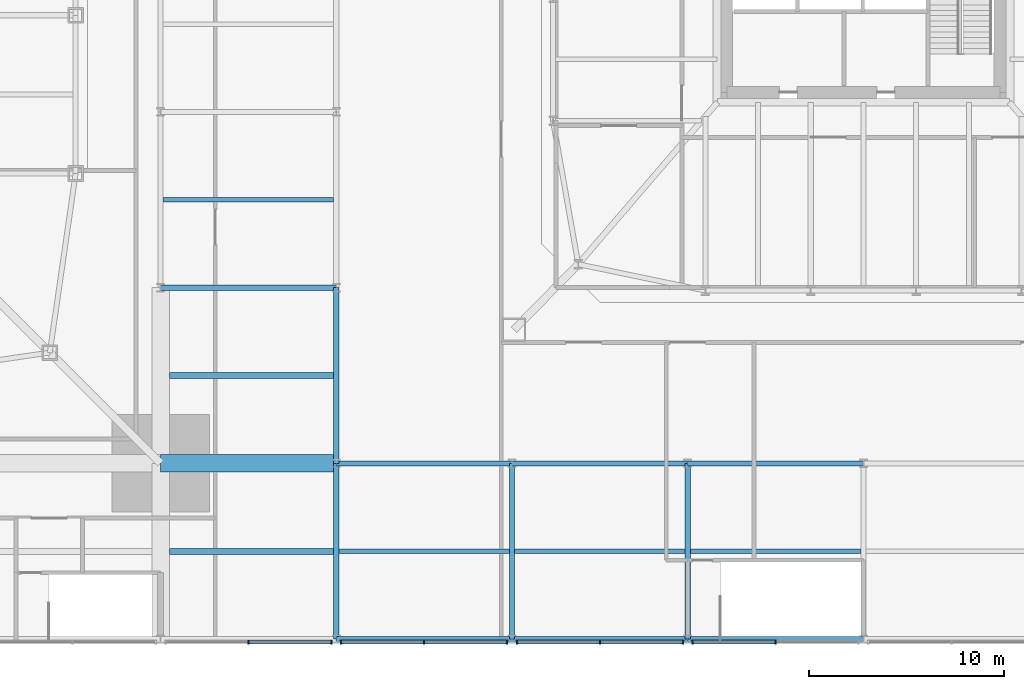
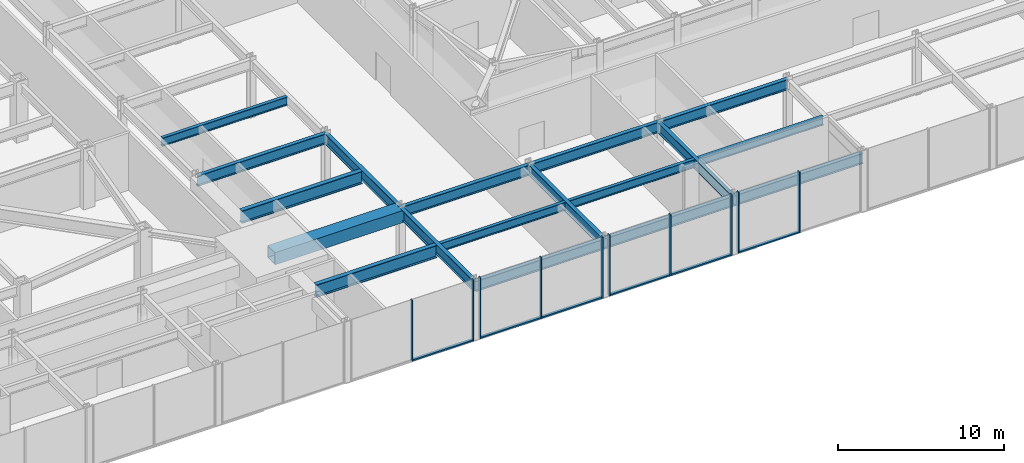
# One storey, part 10 of 30: 18 beams, 16 members, 4 elements without a shape of their own.
"""IFC4 building model written with IfcOpenShell, lengths in metres."""

from ifc_helpers import new_model, si_unit, direction, frame, origin, origin_2d, place, context, subcontext, project, spatial, rectangle, hollow_rectangle, i_section, extrude, material, material_profile, profile_set, type_object, element, aggregate, save


model = new_model("IFC4")

# Units and contexts
model_context = context("Model", 3, precision=1e-05, world=origin(), true_north=direction((0.0, 1.0)))
body_context = subcontext(model_context, "Body", "Model", "MODEL_VIEW")
ifc_project = project(units=[si_unit("LENGTHUNIT", "METRE"), si_unit("AREAUNIT", "SQUARE_METRE"), si_unit("VOLUMEUNIT", "CUBIC_METRE"), si_unit("PLANEANGLEUNIT", "RADIAN"), si_unit("MASSUNIT", "GRAM", prefix="KILO")], contexts=[model_context])

# Site, building, storey
site_placement = place(None, origin())
site = spatial("IfcSite", under=ifc_project, at=site_placement, CompositionType="ELEMENT")
building_placement = place(site_placement, origin())
building = spatial("IfcBuilding", under=site, at=building_placement, Name="Iwan Alto Co-Living Towers", CompositionType="ELEMENT")
storey_placement = place(building_placement, frame((0.0, 0.0, 10.5)))
storey = spatial("IfcBuildingStorey", under=building, at=storey_placement, Name="L02", CompositionType="ELEMENT", Elevation=10.5)

# Curtain wall, members
ifc_material_1 = material(Name="Bronze aluminium stick frame", Category="aluminium")
curtain_wall_type = type_object("IfcCurtainWallType", Name="CURTAIN WALL CW-E", PredefinedType="NOTDEFINED", material=ifc_material_1)
curtain_wall_1_placement = place(storey_placement, origin())
curtain_wall_1 = element("IfcCurtainWall", 1, at=curtain_wall_1_placement, inside=storey, type_object=curtain_wall_type, Name="Podium curtain wall S L02", PredefinedType="NOTDEFINED")
ifc_material_2 = material(Name="Aluminium 6063-T6 bronze anodised", Category="aluminium")
ifc_material_profile_1 = material_profile(ifc_material_2, rectangle(XDim=0.199951171875, YDim=0.080078125, at=origin_2d()), Name="AL 80X200")
ifc_profile_set_1 = profile_set([ifc_material_profile_1], Name="Aluminium 6063-T6 bronze anodised")
member_type_1 = type_object("IfcMemberType", Name="CW-E MULLION 80X200", PredefinedType="MULLION", material=ifc_profile_set_1)
member_1_placement = place(storey_placement, frame((31.5, -36.14990234375, 0.0), z_axis=(0.0, 0.0, 1.0), x_axis=(0.0, 1.0, 0.0)))
member_1 = element("IfcMember", 2, at=member_1_placement, type_object=member_type_1, Name="CW-E mullion 2", PredefinedType="MULLION", context=body_context, shape_type="SweptSolid", body=[
    extrude(rectangle(XDim=0.199951171875, YDim=0.080078125, at=origin_2d()), origin(), (0.0, 0.0, 1.0), 4.5),
])
member_2_placement = place(storey_placement, frame((35.754150390625, -36.14990234375, 0.0), z_axis=(0.0, 0.0, 1.0), x_axis=(0.0, 1.0, 0.0)))
member_2 = element("IfcMember", 3, at=member_2_placement, type_object=member_type_1, Name="CW-E mullion 3", PredefinedType="MULLION", context=body_context, shape_type="SweptSolid", body=[
    extrude(rectangle(XDim=0.199951171875, YDim=0.080078125, at=origin_2d()), origin(), (0.0, 0.0, 1.0), 4.5),
])

curtain_wall_2_placement = place(storey_placement, origin())
curtain_wall_2 = element("IfcCurtainWall", 4, at=curtain_wall_2_placement, inside=storey, type_object=curtain_wall_type, Name="Podium curtain wall S L02", PredefinedType="NOTDEFINED")
member_3_placement = place(storey_placement, frame((36.245849609375, -36.14990234375, 0.0), z_axis=(0.0, 0.0, 1.0), x_axis=(0.0, 1.0, 0.0)))
member_3 = element("IfcMember", 5, at=member_3_placement, type_object=member_type_1, Name="CW-E mullion 1", PredefinedType="MULLION", context=body_context, shape_type="SweptSolid", body=[
    extrude(rectangle(XDim=0.199951171875, YDim=0.080078125, at=origin_2d()), origin(), (0.0, 0.0, 1.0), 4.5),
])
member_4_placement = place(storey_placement, frame((40.5, -36.14990234375, 0.0), z_axis=(0.0, 0.0, 1.0), x_axis=(0.0, 1.0, 0.0)))
member_4 = element("IfcMember", 6, at=member_4_placement, type_object=member_type_1, Name="CW-E mullion 2", PredefinedType="MULLION", context=body_context, shape_type="SweptSolid", body=[
    extrude(rectangle(XDim=0.199951171875, YDim=0.080078125, at=origin_2d()), origin(), (0.0, 0.0, 1.0), 4.5),
])
member_5_placement = place(storey_placement, frame((44.754150390625, -36.14990234375, 0.0), z_axis=(0.0, 0.0, 1.0), x_axis=(0.0, 1.0, 0.0)))
member_5 = element("IfcMember", 7, at=member_5_placement, type_object=member_type_1, Name="CW-E mullion 3", PredefinedType="MULLION", context=body_context, shape_type="SweptSolid", body=[
    extrude(rectangle(XDim=0.199951171875, YDim=0.080078125, at=origin_2d()), origin(), (0.0, 0.0, 1.0), 4.5),
])

curtain_wall_3_placement = place(storey_placement, origin())
curtain_wall_3 = element("IfcCurtainWall", 8, at=curtain_wall_3_placement, inside=storey, type_object=curtain_wall_type, Name="Podium curtain wall S L02", PredefinedType="NOTDEFINED")
member_6_placement = place(storey_placement, frame((45.245849609375, -36.14990234375, 0.0), z_axis=(0.0, 0.0, 1.0), x_axis=(0.0, 1.0, 0.0)))
member_6 = element("IfcMember", 9, at=member_6_placement, type_object=member_type_1, Name="CW-E mullion 1", PredefinedType="MULLION", context=body_context, shape_type="SweptSolid", body=[
    extrude(rectangle(XDim=0.199951171875, YDim=0.080078125, at=origin_2d()), origin(), (0.0, 0.0, 1.0), 4.5),
])
member_7_placement = place(storey_placement, frame((49.5, -36.14990234375, 0.0), z_axis=(0.0, 0.0, 1.0), x_axis=(0.0, 1.0, 0.0)))
member_7 = element("IfcMember", 10, at=member_7_placement, type_object=member_type_1, Name="CW-E mullion 2", PredefinedType="MULLION", context=body_context, shape_type="SweptSolid", body=[
    extrude(rectangle(XDim=0.199951171875, YDim=0.080078125, at=origin_2d()), origin(), (0.0, 0.0, 1.0), 4.5),
])
member_8_placement = place(storey_placement, frame((53.754150390625, -36.14990234375, 0.0), z_axis=(0.0, 0.0, 1.0), x_axis=(0.0, 1.0, 0.0)))
member_8 = element("IfcMember", 11, at=member_8_placement, type_object=member_type_1, Name="CW-E mullion 3", PredefinedType="MULLION", context=body_context, shape_type="SweptSolid", body=[
    extrude(rectangle(XDim=0.199951171875, YDim=0.080078125, at=origin_2d()), origin(), (0.0, 0.0, 1.0), 4.5),
])

curtain_wall_4_placement = place(storey_placement, origin())
curtain_wall_4 = element("IfcCurtainWall", 12, at=curtain_wall_4_placement, inside=storey, type_object=curtain_wall_type, Name="Podium curtain wall S L02", PredefinedType="NOTDEFINED")
member_9_placement = place(storey_placement, frame((54.245849609375, -36.14990234375, 0.0), z_axis=(0.0, 0.0, 1.0), x_axis=(0.0, 1.0, 0.0)))
member_9 = element("IfcMember", 13, at=member_9_placement, type_object=member_type_1, Name="CW-E mullion 1", PredefinedType="MULLION", context=body_context, shape_type="SweptSolid", body=[
    extrude(rectangle(XDim=0.199951171875, YDim=0.080078125, at=origin_2d()), origin(), (0.0, 0.0, 1.0), 4.5),
])
member_10_placement = place(storey_placement, frame((58.5, -36.14990234375, 0.0), z_axis=(0.0, 0.0, 1.0), x_axis=(0.0, 1.0, 0.0)))
member_10 = element("IfcMember", 14, at=member_10_placement, type_object=member_type_1, Name="CW-E mullion 2", PredefinedType="MULLION", context=body_context, shape_type="SweptSolid", body=[
    extrude(rectangle(XDim=0.199951171875, YDim=0.080078125, at=origin_2d()), origin(), (0.0, 0.0, 1.0), 4.5),
])

# Member
ifc_material_3 = material(Name="Aluminium 6063-T6 bronze anodised", Category="aluminium")
ifc_material_profile_2 = material_profile(ifc_material_3, rectangle(XDim=0.199951171875, YDim=0.10009765625, at=origin_2d()), Name="AL 200X100")
ifc_profile_set_2 = profile_set([ifc_material_profile_2], Name="Aluminium 6063-T6 bronze anodised")
member_type_2 = type_object("IfcMemberType", Name="CW-E TRANSOM 200X100", PredefinedType="USERDEFINED", material=ifc_profile_set_2)
member_11_placement = place(storey_placement, frame((31.5400390625, -36.14990234375, 0.050048828125), z_axis=(1.0, 0.0, 0.0), x_axis=(0.0, 1.0, 0.0)))
member_11 = element("IfcMember", 15, at=member_11_placement, type_object=member_type_2, Name="CW-E transom 2.1", ObjectType="TRANSOM", PredefinedType="USERDEFINED", context=body_context, shape_type="SweptSolid", body=[
    extrude(rectangle(XDim=0.199951171875, YDim=0.10009765625, at=origin_2d()), origin(), (0.0, 0.0, 1.0), 4.17431640625),
])

aggregate(curtain_wall_1, [member_1, member_2, member_11])

member_12_placement = place(storey_placement, frame((36.28564453125, -36.14990234375, 0.050048828125), z_axis=(1.0, 0.0, 0.0), x_axis=(0.0, 1.0, 0.0)))
member_12 = element("IfcMember", 16, at=member_12_placement, type_object=member_type_2, Name="CW-E transom 1.1", ObjectType="TRANSOM", PredefinedType="USERDEFINED", context=body_context, shape_type="SweptSolid", body=[
    extrude(rectangle(XDim=0.199951171875, YDim=0.10009765625, at=origin_2d()), origin(), (0.0, 0.0, 1.0), 4.17431640625),
])

member_13_placement = place(storey_placement, frame((40.5400390625, -36.14990234375, 0.050048828125), z_axis=(1.0, 0.0, 0.0), x_axis=(0.0, 1.0, 0.0)))
member_13 = element("IfcMember", 17, at=member_13_placement, type_object=member_type_2, Name="CW-E transom 2.1", ObjectType="TRANSOM", PredefinedType="USERDEFINED", context=body_context, shape_type="SweptSolid", body=[
    extrude(rectangle(XDim=0.199951171875, YDim=0.10009765625, at=origin_2d()), origin(), (0.0, 0.0, 1.0), 4.17431640625),
])

aggregate(curtain_wall_2, [member_3, member_4, member_5, member_12, member_13])

member_14_placement = place(storey_placement, frame((45.28564453125, -36.14990234375, 0.050048828125), z_axis=(1.0, 0.0, 0.0), x_axis=(0.0, 1.0, 0.0)))
member_14 = element("IfcMember", 18, at=member_14_placement, type_object=member_type_2, Name="CW-E transom 1.1", ObjectType="TRANSOM", PredefinedType="USERDEFINED", context=body_context, shape_type="SweptSolid", body=[
    extrude(rectangle(XDim=0.199951171875, YDim=0.10009765625, at=origin_2d()), origin(), (0.0, 0.0, 1.0), 4.17431640625),
])

member_15_placement = place(storey_placement, frame((49.5400390625, -36.14990234375, 0.050048828125), z_axis=(1.0, 0.0, 0.0), x_axis=(0.0, 1.0, 0.0)))
member_15 = element("IfcMember", 19, at=member_15_placement, type_object=member_type_2, Name="CW-E transom 2.1", ObjectType="TRANSOM", PredefinedType="USERDEFINED", context=body_context, shape_type="SweptSolid", body=[
    extrude(rectangle(XDim=0.199951171875, YDim=0.10009765625, at=origin_2d()), origin(), (0.0, 0.0, 1.0), 4.17431640625),
])

aggregate(curtain_wall_3, [member_6, member_7, member_8, member_14, member_15])

member_16_placement = place(storey_placement, frame((54.28564453125, -36.14990234375, 0.050048828125), z_axis=(1.0, 0.0, 0.0), x_axis=(0.0, 1.0, 0.0)))
member_16 = element("IfcMember", 20, at=member_16_placement, type_object=member_type_2, Name="CW-E transom 1.1", ObjectType="TRANSOM", PredefinedType="USERDEFINED", context=body_context, shape_type="SweptSolid", body=[
    extrude(rectangle(XDim=0.199951171875, YDim=0.10009765625, at=origin_2d()), origin(), (0.0, 0.0, 1.0), 4.17431640625),
])

aggregate(curtain_wall_4, [member_9, member_10, member_16])

# Beams
ifc_material_4 = material(Name="Steel ASTM A992 Gr 50", Category="steel")
ifc_material_profile_3 = material_profile(ifc_material_4, i_section(OverallWidth=0.2666015625, OverallDepth=0.76953125, WebThickness=0.015625, FlangeThickness=0.025390625, at=origin_2d()), Name="W30X132")
ifc_profile_set_3 = profile_set([ifc_material_profile_3], Name="Steel ASTM A992 Gr 50")
beam_type_1 = type_object("IfcBeamType", Name="PODIUM BEAM W30X132", PredefinedType="BEAM", material=ifc_profile_set_3)
for number, where, z_axis, x_axis, name in (
    (21, (27.0, -18.0, 3.865234375), (1.0, 0.0, 0.0), (0.0, 1.0, 0.0), "Podium beam 8/C-9/C L03"),
    (22, (36.0, -36.0, 3.865234375), (1.0, 0.0, 0.0), (0.0, 1.0, 0.0), "Podium beam 9/A-10/A L03"),
    (23, (36.0, -36.0, 3.865234375), (0.0, 1.0, 0.0), (-1.0, 0.0, 0.0), "Podium beam 9/A-9/B L03"),
    (24, (36.0, -27.0, 3.865234375), (1.0, 0.0, 0.0), (0.0, 1.0, 0.0), "Podium beam 9/B-10/B L03"),
    (25, (36.0, -27.0, 3.865234375), (0.0, 1.0, 0.0), (-1.0, 0.0, 0.0), "Podium beam 9/B-9/C L03"),
    (26, (45.0, -36.0, 3.865234375), (1.0, 0.0, 0.0), (0.0, 1.0, 0.0), "Podium beam 10/A-11/A L03"),
    (27, (45.0, -36.0, 3.865234375), (0.0, 1.0, 0.0), (-1.0, 0.0, 0.0), "Podium beam 10/A-10/B L03"),
    (28, (45.0, -27.0, 3.865234375), (1.0, 0.0, 0.0), (0.0, 1.0, 0.0), "Podium beam 10/B-11/B L03"),
    (29, (54.0, -36.0, 3.865234375), (1.0, 0.0, 0.0), (0.0, 1.0, 0.0), "Podium beam 11/A-12/A L03"),
    (30, (54.0, -36.0, 3.865234375), (0.0, 1.0, 0.0), (-1.0, 0.0, 0.0), "Podium beam 11/A-11/B L03"),
    (31, (54.0, -27.0, 3.865234375), (1.0, 0.0, 0.0), (0.0, 1.0, 0.0), "Podium beam 11/B-12/B L03"),
):
    element("IfcBeam", number, at=place(storey_placement, frame(where, z_axis=z_axis, x_axis=x_axis)), inside=storey, type_object=beam_type_1, Name=name, PredefinedType="BEAM", context=body_context, shape_type="SweptSolid", body=[
        extrude(i_section(OverallWidth=0.2666015625, OverallDepth=0.76953125, WebThickness=0.015625, FlangeThickness=0.025390625, at=origin_2d()), origin(), (0.0, 0.0, 1.0), 9.0),
    ])
ifc_material_5 = material(Name="Steel ASTM A992 Gr 50", Category="steel")
ifc_material_profile_4 = material_profile(ifc_material_5, i_section(OverallWidth=0.307373046875, OverallDepth=0.927001953125, WebThickness=0.01953125, FlangeThickness=0.031982421875, at=origin_2d()), Name="W36X194")
ifc_profile_set_4 = profile_set([ifc_material_profile_4], Name="Steel ASTM A992 Gr 50")
beam_type_2 = type_object("IfcBeamType", Name="PODIUM PIER BAY SECONDARY BEAM W36X194", PredefinedType="JOIST", material=ifc_profile_set_4)
for number, where, z_axis, x_axis, name in (
    (32, (27.449951171875, -31.5, 3.786376953125), (1.0, 0.0, 0.0), (0.0, 1.0, 0.0), "Podium secondary beam 8/A L03"),
    (33, (27.449951171875, -22.5, 3.786376953125), (1.0, 0.0, 0.0), (0.0, 1.0, 0.0), "Podium secondary beam 8/B L03"),
):
    element("IfcBeam", number, at=place(storey_placement, frame(where, z_axis=z_axis, x_axis=x_axis)), inside=storey, type_object=beam_type_2, Name=name, PredefinedType="JOIST", context=body_context, shape_type="SweptSolid", body=[
        extrude(i_section(OverallWidth=0.307373046875, OverallDepth=0.927001953125, WebThickness=0.01953125, FlangeThickness=0.031982421875, at=origin_2d()), origin(), (0.0, 0.0, 1.0), 8.416748046875),
    ])
ifc_material_6 = material(Name="Steel ASTM A572 Gr 50", Category="steel")
ifc_material_profile_5 = material_profile(ifc_material_6, hollow_rectangle(XDim=0.89990234375, YDim=0.89990234375, WallThickness=0.06005859375, at=origin_2d()), Name="BOX 900X900X60")
ifc_profile_set_5 = profile_set([ifc_material_profile_5], Name="Steel ASTM A572 Gr 50")
beam_type_3 = type_object("IfcBeamType", Name="PODIUM PIER BEAM BOX 900X900X60", PredefinedType="BEAM", material=ifc_profile_set_5)
beam_placement = place(storey_placement, frame((27.0, -27.0, 3.800048828125), z_axis=(1.0, 0.0, 0.0), x_axis=(0.0, 1.0, 0.0)))
element("IfcBeam", 34, at=beam_placement, inside=storey, type_object=beam_type_3, Name="Podium beam 8/B-9/B L03", PredefinedType="BEAM", context=body_context, shape_type="SweptSolid", body=[
    extrude(hollow_rectangle(XDim=0.89990234375, YDim=0.89990234375, WallThickness=0.06005859375, at=origin_2d()), origin(), (0.0, 0.0, 1.0), 9.0),
])
ifc_material_7 = material(Name="Steel ASTM A992 Gr 50", Category="steel")
ifc_material_profile_6 = material_profile(ifc_material_7, i_section(OverallWidth=0.23046875, OverallDepth=0.6171875, WebThickness=0.01318359375, FlangeThickness=0.022216796875, at=origin_2d()), Name="W24X94")
ifc_profile_set_6 = profile_set([ifc_material_profile_6], Name="Steel ASTM A992 Gr 50")
beam_type_4 = type_object("IfcBeamType", Name="PODIUM SECONDARY BEAM W24X94", PredefinedType="JOIST", material=ifc_profile_set_6)
for number, where, z_axis, x_axis, name in (
    (35, (27.13330078125, -13.5, 3.94140625), (1.0, 0.0, 0.0), (0.0, 1.0, 0.0), "Podium secondary beam 8/C L03"),
    (36, (36.13330078125, -31.5, 3.94140625), (1.0, 0.0, 0.0), (0.0, 1.0, 0.0), "Podium secondary beam 9/A L03"),
    (37, (45.13330078125, -31.5, 3.94140625), (1.0, 0.0, 0.0), (0.0, 1.0, 0.0), "Podium secondary beam 10/A L03"),
    (38, (54.13330078125, -31.5, 3.94140625), (1.0, 0.0, 0.0), (0.0, 1.0, 0.0), "Podium secondary beam 11/A L03"),
):
    element("IfcBeam", number, at=place(storey_placement, frame(where, z_axis=z_axis, x_axis=x_axis)), inside=storey, type_object=beam_type_4, Name=name, PredefinedType="JOIST", context=body_context, shape_type="SweptSolid", body=[
        extrude(i_section(OverallWidth=0.23046875, OverallDepth=0.6171875, WebThickness=0.01318359375, FlangeThickness=0.022216796875, at=origin_2d()), origin(), (0.0, 0.0, 1.0), 8.7333984375),
    ])

save(model, "model.ifc")
